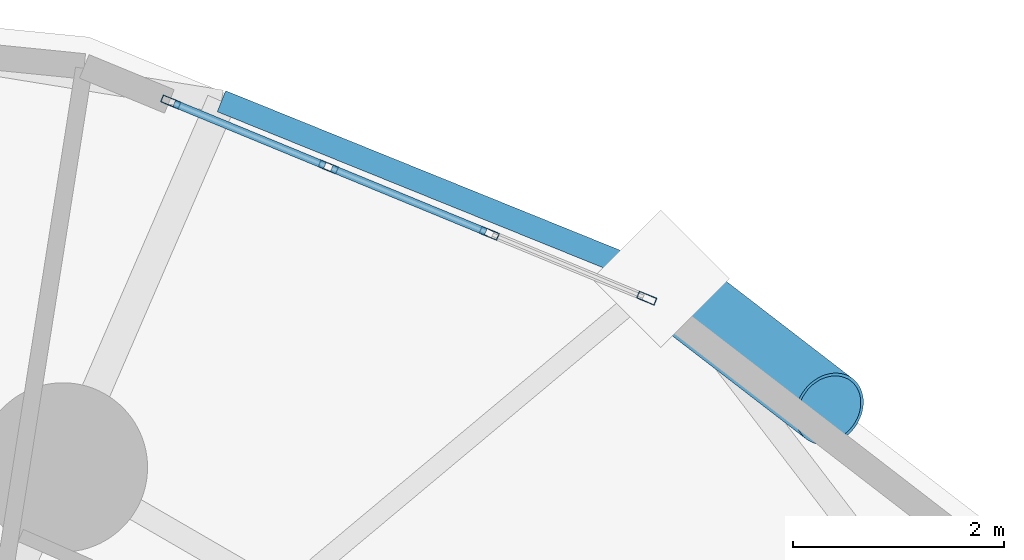
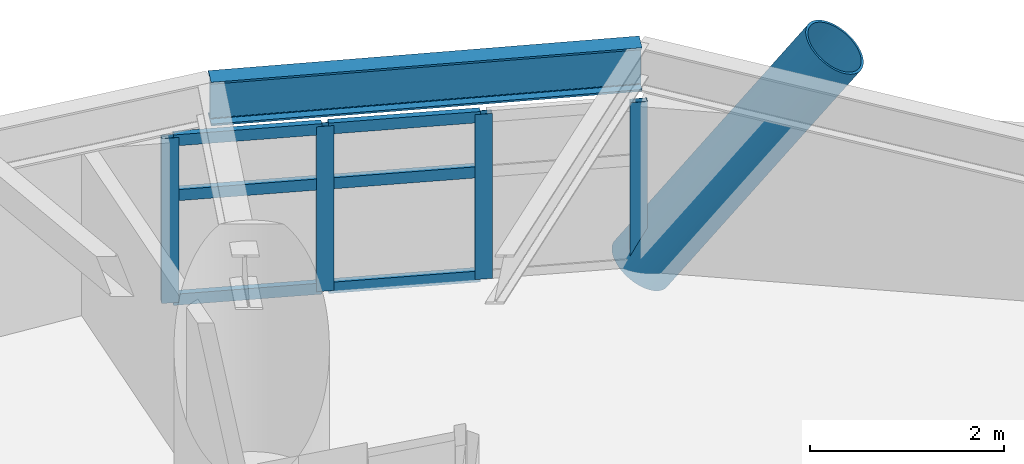
# One storey, part 7 of 19: 11 members, 1 beam, 1 element without a shape of its own.
"""IFC4 building model written with IfcOpenShell, lengths in metres."""

from ifc_helpers import new_model, si_unit, direction, frame, origin, origin_2d, place, context, subcontext, project, spatial, hollow_rectangle, hollow_circle, i_section, extrude, material, layer, layer_set, material_profile, profile_set, type_object, element, aggregate, save


model = new_model("IFC4")

# Units and contexts
model_context = context("Model", 3, precision=1e-05, world=origin(), true_north=direction((0.0, 1.0)))
body_context = subcontext(model_context, "Body", "Model", "MODEL_VIEW")
ifc_project = project(units=[si_unit("LENGTHUNIT", "METRE"), si_unit("AREAUNIT", "SQUARE_METRE"), si_unit("VOLUMEUNIT", "CUBIC_METRE"), si_unit("PLANEANGLEUNIT", "RADIAN"), si_unit("MASSUNIT", "GRAM", prefix="KILO")], contexts=[model_context])

# Site, building, storey
site_placement = place(None, origin())
site = spatial("IfcSite", under=ifc_project, at=site_placement, CompositionType="ELEMENT")
building_placement = place(site_placement, origin())
building = spatial("IfcBuilding", under=site, at=building_placement, Name="Cununo Teusaquillo Station Towers", CompositionType="ELEMENT")
storey_placement = place(building_placement, frame((0.0, 0.0, 48.18994140625)))
storey = spatial("IfcBuildingStorey", under=building, at=storey_placement, Name="L14", CompositionType="ELEMENT", Elevation=48.18994140625)

# Beam
ifc_material_1 = material(Name="Steel ASTM A572 Grade 50", Category="steel")
ifc_material_profile_1 = material_profile(ifc_material_1, i_section(OverallWidth=0.214111328125, OverallDepth=0.549072265625, WebThickness=0.0146484375, FlangeThickness=0.023681640625, FilletRadius=0.014892578125, at=origin_2d()), Name="W21X93")
ifc_profile_set_1 = profile_set([ifc_material_profile_1], Name="Steel ASTM A572 Grade 50")
beam_type = type_object("IfcBeamType", Name="BM-RING-Z1", PredefinedType="SPANDREL", material=ifc_profile_set_1)
beam_placement = place(storey_placement, frame((63.9443359375, 39.418212890625, 2.37548828125), z_axis=(-0.927072194447, 0.374882843411, 0.0), x_axis=(-0.374882843411, -0.927072194447, 0.0)))
element("IfcBeam", 1, at=beam_placement, inside=storey, type_object=beam_type, Name="L14 Tower B Spandrel Ring Beam 02", PredefinedType="SPANDREL", context=body_context, shape_type="SweptSolid", body=[
    extrude(i_section(OverallWidth=0.214111328125, OverallDepth=0.549072265625, WebThickness=0.0146484375, FlangeThickness=0.023681640625, FilletRadius=0.014892578125, at=origin_2d()), origin(), (0.0, 0.0, 1.0), 4.48046875),
])

# Curtain wall, members
ifc_material_2 = material(Name="Operable acoustic tinted low-E double glazing", Category="glass")
ifc_layer = layer(ifc_material_2, 0.179931640625)
ifc_layer_set = layer_set([ifc_layer], Name="Operable acoustic tinted low-E double glazing")
curtain_wall_type = type_object("IfcCurtainWallType", Name="CW-SYS-03", PredefinedType="USERDEFINED", material=ifc_layer_set)
curtain_wall_placement = place(storey_placement, origin())
curtain_wall = element("IfcCurtainWall", 2, at=curtain_wall_placement, inside=storey, type_object=curtain_wall_type, Name="L14 Tower B Facade Curtain Wall C01", ObjectType="OPERABLE GLAZING", PredefinedType="USERDEFINED")
ifc_material_3 = material(Name="Anodised dark bronze aluminium EN AW-6063-T6", Category="aluminium")
ifc_material_profile_2 = material_profile(ifc_material_3, hollow_rectangle(XDim=0.070068359375, YDim=0.179931640625, WallThickness=0.00390625, at=origin_2d()), Name="CW-MULL-70x180")
ifc_profile_set_2 = profile_set([ifc_material_profile_2], Name="Anodised dark bronze aluminium EN AW-6063-T6")
member_type_1 = type_object("IfcMemberType", Name="CWM-180", PredefinedType="MULLION", material=ifc_profile_set_2)
member_1_placement = place(storey_placement, frame((59.310791015625, 41.090576171875, 0.0), z_axis=(0.0, 0.0, 1.0), x_axis=(0.381006438517, 0.924572384299, 0.0)))
member_1 = element("IfcMember", 3, at=member_1_placement, type_object=member_type_1, Name="CW-03 mullion 1", PredefinedType="MULLION", context=body_context, shape_type="SweptSolid", body=[
    extrude(hollow_rectangle(XDim=0.070068359375, YDim=0.179931640625, WallThickness=0.00390625, at=origin_2d()), origin(), (0.0, 0.0, 1.0), 2.072998046875),
])
member_2_placement = place(storey_placement, frame((60.800537109375, 40.4765625, 0.0), z_axis=(0.0, 0.0, 1.0), x_axis=(0.381006438517, 0.924572384299, 0.0)))
member_2 = element("IfcMember", 4, at=member_2_placement, type_object=member_type_1, Name="CW-03 mullion 2", PredefinedType="MULLION", context=body_context, shape_type="SweptSolid", body=[
    extrude(hollow_rectangle(XDim=0.070068359375, YDim=0.179931640625, WallThickness=0.00390625, at=origin_2d()), origin(), (0.0, 0.0, 1.0), 2.072998046875),
])
member_3_placement = place(storey_placement, frame((62.322509765625, 39.849365234375, 0.0), z_axis=(0.0, 0.0, 1.0), x_axis=(0.381006438517, 0.924572384299, 0.0)))
member_3 = element("IfcMember", 5, at=member_3_placement, type_object=member_type_1, Name="CW-03 mullion 3", PredefinedType="MULLION", context=body_context, shape_type="SweptSolid", body=[
    extrude(hollow_rectangle(XDim=0.070068359375, YDim=0.179931640625, WallThickness=0.00390625, at=origin_2d()), origin(), (0.0, 0.0, 1.0), 2.072998046875),
])
member_4_placement = place(storey_placement, frame((63.812255859375, 39.235595703125, 0.0), z_axis=(0.0, 0.0, 1.0), x_axis=(0.381006438517, 0.924572384299, 0.0)))
member_4 = element("IfcMember", 6, at=member_4_placement, type_object=member_type_1, Name="CW-03 mullion 4", PredefinedType="MULLION", context=body_context, shape_type="SweptSolid", body=[
    extrude(hollow_rectangle(XDim=0.070068359375, YDim=0.179931640625, WallThickness=0.00390625, at=origin_2d()), origin(), (0.0, 0.0, 1.0), 2.072998046875),
])
ifc_material_4 = material(Name="Anodised dark bronze aluminium EN AW-6063-T6", Category="aluminium")
ifc_material_profile_3 = material_profile(ifc_material_4, hollow_rectangle(XDim=0.070068359375, YDim=0.139892578125, WallThickness=0.00390625, at=origin_2d()), Name="CW-TRAN-70x140")
ifc_profile_set_3 = profile_set([ifc_material_profile_3], Name="Anodised dark bronze aluminium EN AW-6063-T6")
member_type_2 = type_object("IfcMemberType", Name="CWT-140", PredefinedType="USERDEFINED", material=ifc_profile_set_3)
member_5_placement = place(storey_placement, frame((59.34326171875, 41.0771484375, 0.03515625), z_axis=(0.924569788206, -0.381012738286, 0.0), x_axis=(0.381012738286, 0.924569788206, 0.0)))
member_5 = element("IfcMember", 7, at=member_5_placement, type_object=member_type_2, Name="CW-03 transom 1.1", ObjectType="TRANSOM", PredefinedType="USERDEFINED", context=body_context, shape_type="SweptSolid", body=[
    extrude(hollow_rectangle(XDim=0.070068359375, YDim=0.139892578125, WallThickness=0.00390625, at=origin_2d()), origin(), (0.0, 0.0, 1.0), 1.541015625),
])
member_6_placement = place(storey_placement, frame((59.34326171875, 41.0771484375, 1.34716796875), z_axis=(0.924569788206, -0.381012738286, 0.0), x_axis=(0.381012738286, 0.924569788206, 0.0)))
member_6 = element("IfcMember", 8, at=member_6_placement, type_object=member_type_2, Name="CW-03 transom 1.2", ObjectType="TRANSOM", PredefinedType="USERDEFINED", context=body_context, shape_type="SweptSolid", body=[
    extrude(hollow_rectangle(XDim=0.070068359375, YDim=0.139892578125, WallThickness=0.00390625, at=origin_2d()), origin(), (0.0, 0.0, 1.0), 1.541015625),
])
member_7_placement = place(storey_placement, frame((59.34326171875, 41.0771484375, 2.0380859375), z_axis=(0.924569788206, -0.381012738286, 0.0), x_axis=(0.381012738286, 0.924569788206, 0.0)))
member_7 = element("IfcMember", 9, at=member_7_placement, type_object=member_type_2, Name="CW-03 transom 1.3", ObjectType="TRANSOM", PredefinedType="USERDEFINED", context=body_context, shape_type="SweptSolid", body=[
    extrude(hollow_rectangle(XDim=0.070068359375, YDim=0.139892578125, WallThickness=0.00390625, at=origin_2d()), origin(), (0.0, 0.0, 1.0), 1.541015625),
])
member_8_placement = place(storey_placement, frame((60.832763671875, 40.46337890625, 0.03515625), z_axis=(0.924559362958, -0.381038035329, 0.0), x_axis=(0.381038035329, 0.924559362958, 0.0)))
member_8 = element("IfcMember", 10, at=member_8_placement, type_object=member_type_2, Name="CW-03 transom 2.1", ObjectType="TRANSOM", PredefinedType="USERDEFINED", context=body_context, shape_type="SweptSolid", body=[
    extrude(hollow_rectangle(XDim=0.070068359375, YDim=0.139892578125, WallThickness=0.00390625, at=origin_2d()), origin(), (0.0, 0.0, 1.0), 1.576171875),
])
member_9_placement = place(storey_placement, frame((60.832763671875, 40.46337890625, 1.34716796875), z_axis=(0.924559362958, -0.381038035329, 0.0), x_axis=(0.381038035329, 0.924559362958, 0.0)))
member_9 = element("IfcMember", 11, at=member_9_placement, type_object=member_type_2, Name="CW-03 transom 2.2", ObjectType="TRANSOM", PredefinedType="USERDEFINED", context=body_context, shape_type="SweptSolid", body=[
    extrude(hollow_rectangle(XDim=0.070068359375, YDim=0.139892578125, WallThickness=0.00390625, at=origin_2d()), origin(), (0.0, 0.0, 1.0), 1.576171875),
])
member_10_placement = place(storey_placement, frame((60.832763671875, 40.46337890625, 2.0380859375), z_axis=(0.924559362958, -0.381038035329, 0.0), x_axis=(0.381038035329, 0.924559362958, 0.0)))
member_10 = element("IfcMember", 12, at=member_10_placement, type_object=member_type_2, Name="CW-03 transom 2.3", ObjectType="TRANSOM", PredefinedType="USERDEFINED", context=body_context, shape_type="SweptSolid", body=[
    extrude(hollow_rectangle(XDim=0.070068359375, YDim=0.139892578125, WallThickness=0.00390625, at=origin_2d()), origin(), (0.0, 0.0, 1.0), 1.576171875),
])
aggregate(curtain_wall, [member_1, member_2, member_3, member_4, member_5, member_6, member_7, member_8, member_9, member_10])

# Member
ifc_material_5 = material(Name="Steel EN 10025-2 S355J2", Category="steel")
ifc_material_profile_4 = material_profile(ifc_material_5, hollow_circle(Radius=0.360107421875, WallThickness=0.028076171875, at=origin_2d()), Name="CHS 720x28")
ifc_profile_set_4 = profile_set([ifc_material_profile_4], Name="Steel EN 10025-2 S355J2")
member_type_3 = type_object("IfcMemberType", Name="MBR-DIAG-Z1", PredefinedType="BRACE", material=ifc_profile_set_4)
member_11_placement = place(storey_placement, frame((63.9443359375, 39.418212890625, -0.139892578125), z_axis=(0.450839843629, -0.347288106018, 0.82227392444), x_axis=(0.610249600559, 0.792209205335, 0.0)))
element("IfcMember", 13, at=member_11_placement, inside=storey, type_object=member_type_3, Name="L14 Tower B Folded-Zigzag Diagrid Tube C00", PredefinedType="BRACE", context=body_context, shape_type="SweptSolid", body=[
    extrude(hollow_circle(Radius=0.360107421875, WallThickness=0.028076171875, at=origin_2d()), origin(), (0.0, 0.0, 1.0), 3.538818359375),
])

save(model, "model.ifc")
